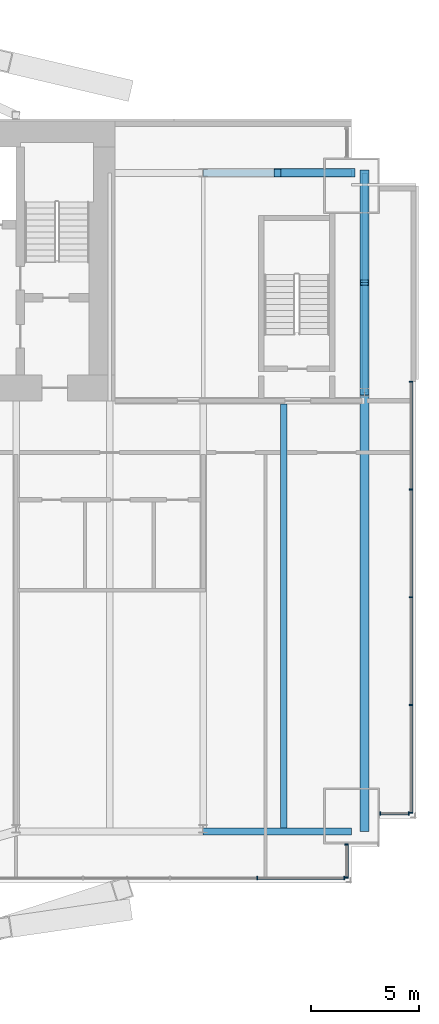
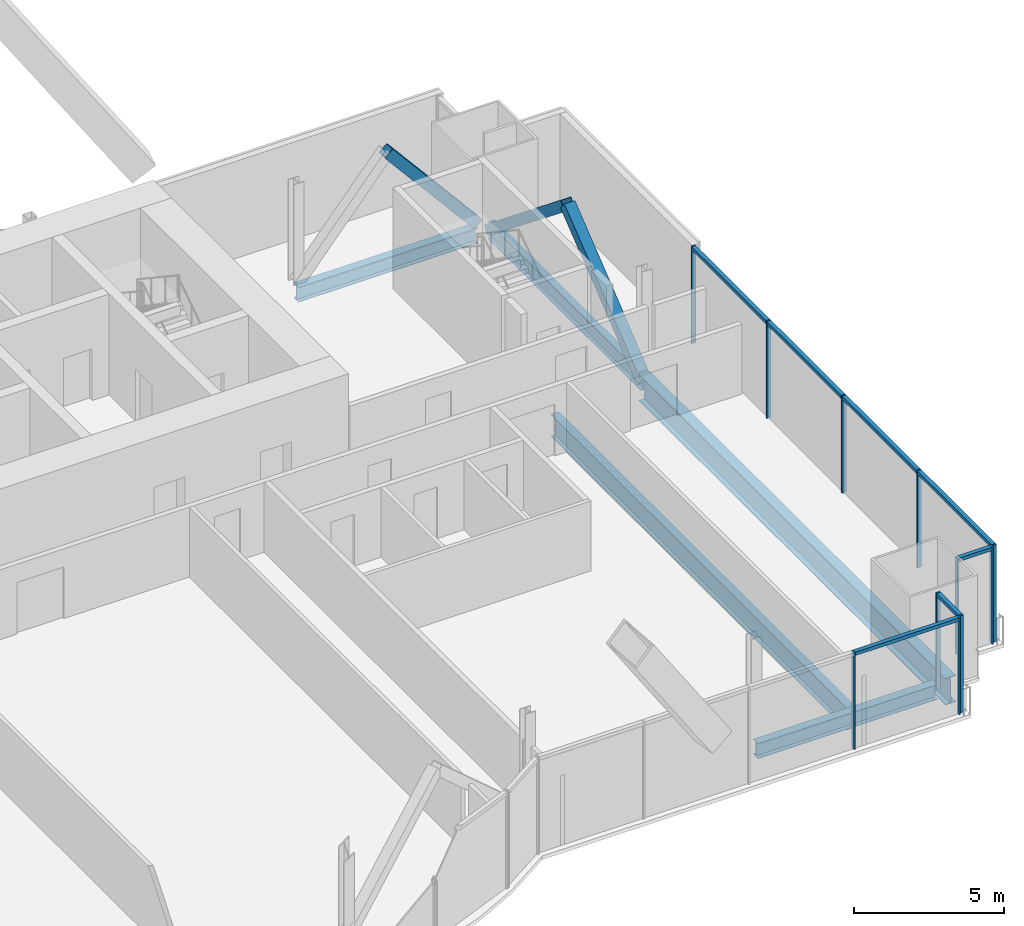
# One storey, part 14 of 23: 21 members, 5 beams, 4 elements without a shape of their own.
"""IFC4 building model written with IfcOpenShell, lengths in metres."""

from ifc_helpers import new_model, si_unit, direction, frame, origin, origin_2d, place, context, subcontext, project, spatial, rectangle, hollow_rectangle, i_section, extrude, material, material_profile, profile_set, type_object, element, aggregate, save


model = new_model("IFC4")

# Units and contexts
model_context = context("Model", 3, precision=1e-05, world=origin(), true_north=direction((0.0, 1.0)))
body_context = subcontext(model_context, "Body", "Model", "MODEL_VIEW")
ifc_project = project(units=[si_unit("LENGTHUNIT", "METRE"), si_unit("AREAUNIT", "SQUARE_METRE"), si_unit("VOLUMEUNIT", "CUBIC_METRE"), si_unit("PLANEANGLEUNIT", "RADIAN"), si_unit("MASSUNIT", "GRAM", prefix="KILO")], contexts=[model_context])

# Site, building, storey
site_placement = place(None, origin())
site = spatial("IfcSite", under=ifc_project, at=site_placement, CompositionType="ELEMENT")
building_placement = place(site_placement, origin())
building = spatial("IfcBuilding", under=site, at=building_placement, Name="Bicima Exchange Tower", CompositionType="ELEMENT")
storey_placement = place(building_placement, frame((0.0, 0.0, 152.699951171875)))
storey = spatial("IfcBuildingStorey", under=building, at=storey_placement, Name="L33", CompositionType="ELEMENT", Elevation=152.699951171875)

# Curtain wall, members
ifc_material_1 = material(Name="Anodised bronze aluminium", Category="aluminium")
curtain_wall_type_1 = type_object("IfcCurtainWallType", Name="End face glass wall", PredefinedType="NOTDEFINED", material=ifc_material_1)
curtain_wall_1_placement = place(storey_placement, origin())
curtain_wall_1 = element("IfcCurtainWall", 1, at=curtain_wall_1_placement, inside=storey, type_object=curtain_wall_type_1, Name="End face glass wall L33 run 19", PredefinedType="NOTDEFINED")
ifc_material_profile_1 = material_profile(ifc_material_1, rectangle(XDim=0.159912109375, YDim=0.06005859375, at=origin_2d()))
ifc_profile_set_1 = profile_set([ifc_material_profile_1], Name="Anodised bronze aluminium")
member_type_1 = type_object("IfcMemberType", Name="End face glass wall mullion 60 x 160", PredefinedType="MULLION", material=ifc_profile_set_1)
member_1_placement = place(storey_placement, frame((35.77001953125, -32.152099609375, 0.0), z_axis=(0.0, 0.0, 1.0), x_axis=(-1.0, 0.0, 0.0)))
member_1 = element("IfcMember", 2, at=member_1_placement, type_object=member_type_1, Name="End face glass wall mullion 1", PredefinedType="MULLION", context=body_context, shape_type="SweptSolid", body=[
    extrude(rectangle(XDim=0.159912109375, YDim=0.06005859375, at=origin_2d()), origin(), (0.0, 0.0, 1.0), 3.949951171875),
])
member_2_placement = place(storey_placement, frame((35.77001953125, -27.1416015625, 0.0), z_axis=(0.0, 0.0, 1.0), x_axis=(-1.0, 0.0, 0.0)))
member_2 = element("IfcMember", 3, at=member_2_placement, type_object=member_type_1, Name="End face glass wall mullion 2", PredefinedType="MULLION", context=body_context, shape_type="SweptSolid", body=[
    extrude(rectangle(XDim=0.159912109375, YDim=0.06005859375, at=origin_2d()), origin(), (0.0, 0.0, 1.0), 3.949951171875),
])
member_3_placement = place(storey_placement, frame((35.77001953125, -22.131103515625, 0.0), z_axis=(0.0, 0.0, 1.0), x_axis=(-1.0, 0.0, 0.0)))
member_3 = element("IfcMember", 4, at=member_3_placement, type_object=member_type_1, Name="End face glass wall mullion 3", PredefinedType="MULLION", context=body_context, shape_type="SweptSolid", body=[
    extrude(rectangle(XDim=0.159912109375, YDim=0.06005859375, at=origin_2d()), origin(), (0.0, 0.0, 1.0), 3.949951171875),
])
member_4_placement = place(storey_placement, frame((35.77001953125, -17.12060546875, 0.0), z_axis=(0.0, 0.0, 1.0), x_axis=(-1.0, 0.0, 0.0)))
member_4 = element("IfcMember", 5, at=member_4_placement, type_object=member_type_1, Name="End face glass wall mullion 4", PredefinedType="MULLION", context=body_context, shape_type="SweptSolid", body=[
    extrude(rectangle(XDim=0.159912109375, YDim=0.06005859375, at=origin_2d()), origin(), (0.0, 0.0, 1.0), 3.949951171875),
])
member_5_placement = place(storey_placement, frame((35.77001953125, -12.110107421875, 0.0), z_axis=(0.0, 0.0, 1.0), x_axis=(-1.0, 0.0, 0.0)))
member_5 = element("IfcMember", 6, at=member_5_placement, type_object=member_type_1, Name="End face glass wall mullion 5", PredefinedType="MULLION", context=body_context, shape_type="SweptSolid", body=[
    extrude(rectangle(XDim=0.159912109375, YDim=0.06005859375, at=origin_2d()), origin(), (0.0, 0.0, 1.0), 3.949951171875),
])
ifc_material_profile_2 = material_profile(ifc_material_1, rectangle(XDim=0.159912109375, YDim=0.139892578125, at=origin_2d()))
ifc_profile_set_2 = profile_set([ifc_material_profile_2], Name="Anodised bronze aluminium")
member_type_2 = type_object("IfcMemberType", Name="End face glass wall transom 140 x 160", PredefinedType="USERDEFINED", material=ifc_profile_set_2)
member_6_placement = place(storey_placement, frame((35.77001953125, -32.1220703125, 3.880126953125), z_axis=(0.0, 1.0, 0.0), x_axis=(-1.0, 0.0, 0.0)))
member_6 = element("IfcMember", 7, at=member_6_placement, type_object=member_type_2, Name="End face glass wall transom 1.1", ObjectType="TRANSOM", PredefinedType="USERDEFINED", context=body_context, shape_type="SweptSolid", body=[
    extrude(rectangle(XDim=0.159912109375, YDim=0.139892578125, at=origin_2d()), origin(), (0.0, 0.0, 1.0), 4.95068359375),
])
member_7_placement = place(storey_placement, frame((35.77001953125, -27.111572265625, 3.880126953125), z_axis=(0.0, 1.0, 0.0), x_axis=(-1.0, 0.0, 0.0)))
member_7 = element("IfcMember", 8, at=member_7_placement, type_object=member_type_2, Name="End face glass wall transom 2.1", ObjectType="TRANSOM", PredefinedType="USERDEFINED", context=body_context, shape_type="SweptSolid", body=[
    extrude(rectangle(XDim=0.159912109375, YDim=0.139892578125, at=origin_2d()), origin(), (0.0, 0.0, 1.0), 4.95068359375),
])
member_8_placement = place(storey_placement, frame((35.77001953125, -22.10107421875, 3.880126953125), z_axis=(0.0, 1.0, 0.0), x_axis=(-1.0, 0.0, 0.0)))
member_8 = element("IfcMember", 9, at=member_8_placement, type_object=member_type_2, Name="End face glass wall transom 3.1", ObjectType="TRANSOM", PredefinedType="USERDEFINED", context=body_context, shape_type="SweptSolid", body=[
    extrude(rectangle(XDim=0.159912109375, YDim=0.139892578125, at=origin_2d()), origin(), (0.0, 0.0, 1.0), 4.95068359375),
])
member_9_placement = place(storey_placement, frame((35.77001953125, -17.090576171875, 3.880126953125), z_axis=(0.0, 1.0, 0.0), x_axis=(-1.0, 0.0, 0.0)))
member_9 = element("IfcMember", 10, at=member_9_placement, type_object=member_type_2, Name="End face glass wall transom 4.1", ObjectType="TRANSOM", PredefinedType="USERDEFINED", context=body_context, shape_type="SweptSolid", body=[
    extrude(rectangle(XDim=0.159912109375, YDim=0.139892578125, at=origin_2d()), origin(), (0.0, 0.0, 1.0), 4.95068359375),
])
aggregate(curtain_wall_1, [member_1, member_2, member_3, member_4, member_5, member_6, member_7, member_8, member_9])

# Beams
ifc_material_2 = material(Name="Steel ASTM A992 Gr 50", Category="steel")
ifc_material_profile_3 = material_profile(ifc_material_2, i_section(OverallWidth=0.256591796875, OverallDepth=0.693359375, WebThickness=0.014404296875, FlangeThickness=0.023681640625, at=origin_2d()))
ifc_profile_set_3 = profile_set([ifc_material_profile_3], Name="Steel ASTM A992 Gr 50")
beam_type_1 = type_object("IfcBeamType", Name="End girder W27x114", PredefinedType="BEAM", material=ifc_profile_set_3)
beam_1_placement = place(storey_placement, frame((33.60009765625, -2.39990234375, -0.49658203125), z_axis=(0.0, -1.0, 0.0), x_axis=(1.0, 0.0, 0.0)))
element("IfcBeam", 11, at=beam_1_placement, inside=storey, type_object=beam_type_1, Name="End girder", PredefinedType="BEAM", context=body_context, shape_type="SweptSolid", body=[
    extrude(i_section(OverallWidth=0.256591796875, OverallDepth=0.693359375, WebThickness=0.014404296875, FlangeThickness=0.023681640625, at=origin_2d()), origin(), (0.0, 0.0, 1.0), 10.2001953125),
])
ifc_material_profile_4 = material_profile(ifc_material_2, i_section(OverallWidth=0.4013671875, OverallDepth=1.089599609375, WebThickness=0.01806640625, FlangeThickness=0.031005859375, at=origin_2d()))
ifc_profile_set_4 = profile_set([ifc_material_profile_4], Name="Steel ASTM A992 Gr 50")
beam_type_2 = type_object("IfcBeamType", Name="End girder W44x230", PredefinedType="BEAM", material=ifc_profile_set_4)
beam_2_placement = place(storey_placement, frame((33.60009765625, -12.60009765625, -0.69482421875), z_axis=(0.0, -1.0, 0.0), x_axis=(1.0, 0.0, 0.0)))
element("IfcBeam", 12, at=beam_2_placement, inside=storey, type_object=beam_type_2, Name="End girder", PredefinedType="BEAM", context=body_context, shape_type="SweptSolid", body=[
    extrude(i_section(OverallWidth=0.4013671875, OverallDepth=1.089599609375, WebThickness=0.01806640625, FlangeThickness=0.031005859375, at=origin_2d()), origin(), (0.0, 0.0, 1.0), 20.411865234375),
])
ifc_material_profile_5 = material_profile(ifc_material_2, i_section(OverallWidth=0.3046875, OverallDepth=0.904296875, WebThickness=0.01513671875, FlangeThickness=0.02001953125, at=origin_2d()))
ifc_profile_set_5 = profile_set([ifc_material_profile_5], Name="Steel ASTM A992 Gr 50")
beam_type_3 = type_object("IfcBeamType", Name="Floor beam W36x135", PredefinedType="JOIST", material=ifc_profile_set_5)
beam_3_placement = place(storey_placement, frame((29.85009765625, -13.15234375, -0.60205078125), z_axis=(0.0, -1.0, 0.0), x_axis=(1.0, 0.0, 0.0)))
element("IfcBeam", 13, at=beam_3_placement, inside=storey, type_object=beam_type_3, Name="Floor beam", PredefinedType="JOIST", context=body_context, shape_type="SweptSolid", body=[
    extrude(i_section(OverallWidth=0.3046875, OverallDepth=0.904296875, WebThickness=0.01513671875, FlangeThickness=0.02001953125, at=origin_2d()), origin(), (0.0, 0.0, 1.0), 19.697021484375),
])
ifc_material_profile_6 = material_profile(ifc_material_2, i_section(OverallWidth=0.3251953125, OverallDepth=0.612060546875, WebThickness=0.0126953125, FlangeThickness=0.01904296875, at=origin_2d()))
ifc_profile_set_6 = profile_set([ifc_material_profile_6], Name="Steel ASTM A992 Gr 50")
beam_type_4 = type_object("IfcBeamType", Name="Front girder W24x104", PredefinedType="BEAM", material=ifc_profile_set_6)
beam_4_placement = place(storey_placement, frame((26.10009765625, -33.011962890625, -0.4560546875), z_axis=(1.0, 0.0, 0.0), x_axis=(0.0, 1.0, 0.0)))
element("IfcBeam", 14, at=beam_4_placement, inside=storey, type_object=beam_type_4, Name="Front girder", PredefinedType="BEAM", context=body_context, shape_type="SweptSolid", body=[
    extrude(i_section(OverallWidth=0.3251953125, OverallDepth=0.612060546875, WebThickness=0.0126953125, FlangeThickness=0.01904296875, at=origin_2d()), origin(), (0.0, 0.0, 1.0), 6.89990234375),
])

# Curtain wall, members
curtain_wall_type_2 = type_object("IfcCurtainWallType", Name="Front glass wall", PredefinedType="NOTDEFINED", material=ifc_material_1)
curtain_wall_2_placement = place(storey_placement, origin())
curtain_wall_2 = element("IfcCurtainWall", 15, at=curtain_wall_2_placement, inside=storey, type_object=curtain_wall_type_2, Name="Front glass wall L33 run 16", PredefinedType="NOTDEFINED")
member_type_3 = type_object("IfcMemberType", Name="Front glass wall mullion 60 x 160", PredefinedType="MULLION", material=ifc_profile_set_1)
member_10_placement = place(storey_placement, frame((28.610595703125, -35.181884765625, 0.0), z_axis=(0.0, 0.0, 1.0), x_axis=(0.0, 1.0, 0.0)))
member_10 = element("IfcMember", 16, at=member_10_placement, type_object=member_type_3, Name="Front glass wall mullion 4", PredefinedType="MULLION", context=body_context, shape_type="SweptSolid", body=[
    extrude(rectangle(XDim=0.159912109375, YDim=0.06005859375, at=origin_2d()), origin(), (0.0, 0.0, 1.0), 3.949951171875),
])
member_11_placement = place(storey_placement, frame((32.659912109375, -35.181884765625, 0.0), z_axis=(0.0, 0.0, 1.0), x_axis=(0.0, 1.0, 0.0)))
member_11 = element("IfcMember", 17, at=member_11_placement, type_object=member_type_3, Name="Front glass wall mullion 5", PredefinedType="MULLION", context=body_context, shape_type="SweptSolid", body=[
    extrude(rectangle(XDim=0.159912109375, YDim=0.06005859375, at=origin_2d()), origin(), (0.0, 0.0, 1.0), 3.949951171875),
])

curtain_wall_3_placement = place(storey_placement, origin())
curtain_wall_3 = element("IfcCurtainWall", 18, at=curtain_wall_3_placement, inside=storey, type_object=curtain_wall_type_2, Name="Front glass wall L33 run 17", PredefinedType="NOTDEFINED")
member_12_placement = place(storey_placement, frame((32.77001953125, -35.152099609375, 0.0), z_axis=(0.0, 0.0, 1.0), x_axis=(-1.0, 0.0, 0.0)))
member_12 = element("IfcMember", 19, at=member_12_placement, type_object=member_type_3, Name="Front glass wall mullion 1", PredefinedType="MULLION", context=body_context, shape_type="SweptSolid", body=[
    extrude(rectangle(XDim=0.159912109375, YDim=0.06005859375, at=origin_2d()), origin(), (0.0, 0.0, 1.0), 3.949951171875),
])
member_13_placement = place(storey_placement, frame((32.77001953125, -33.6201171875, 0.0), z_axis=(0.0, 0.0, 1.0), x_axis=(-1.0, 0.0, 0.0)))
member_13 = element("IfcMember", 20, at=member_13_placement, type_object=member_type_3, Name="Front glass wall mullion 2", PredefinedType="MULLION", context=body_context, shape_type="SweptSolid", body=[
    extrude(rectangle(XDim=0.159912109375, YDim=0.06005859375, at=origin_2d()), origin(), (0.0, 0.0, 1.0), 3.949951171875),
])

curtain_wall_4_placement = place(storey_placement, origin())
curtain_wall_4 = element("IfcCurtainWall", 21, at=curtain_wall_4_placement, inside=storey, type_object=curtain_wall_type_2, Name="Front glass wall L33 run 18", PredefinedType="NOTDEFINED")
member_14_placement = place(storey_placement, frame((34.330078125, -32.181884765625, 0.0), z_axis=(0.0, 0.0, 1.0), x_axis=(0.0, 1.0, 0.0)))
member_14 = element("IfcMember", 22, at=member_14_placement, type_object=member_type_3, Name="Front glass wall mullion 1", PredefinedType="MULLION", context=body_context, shape_type="SweptSolid", body=[
    extrude(rectangle(XDim=0.159912109375, YDim=0.06005859375, at=origin_2d()), origin(), (0.0, 0.0, 1.0), 3.949951171875),
])
member_15_placement = place(storey_placement, frame((35.659912109375, -32.181884765625, 0.0), z_axis=(0.0, 0.0, 1.0), x_axis=(0.0, 1.0, 0.0)))
member_15 = element("IfcMember", 23, at=member_15_placement, type_object=member_type_3, Name="Front glass wall mullion 2", PredefinedType="MULLION", context=body_context, shape_type="SweptSolid", body=[
    extrude(rectangle(XDim=0.159912109375, YDim=0.06005859375, at=origin_2d()), origin(), (0.0, 0.0, 1.0), 3.949951171875),
])

# Member
member_type_4 = type_object("IfcMemberType", Name="Front glass wall transom 140 x 160", PredefinedType="USERDEFINED", material=ifc_profile_set_2)
member_16_placement = place(storey_placement, frame((28.640380859375, -35.181884765625, 3.880126953125), z_axis=(1.0, 0.0, 0.0), x_axis=(0.0, 1.0, 0.0)))
member_16 = element("IfcMember", 24, at=member_16_placement, type_object=member_type_4, Name="Front glass wall transom 4.1", ObjectType="TRANSOM", PredefinedType="USERDEFINED", context=body_context, shape_type="SweptSolid", body=[
    extrude(rectangle(XDim=0.159912109375, YDim=0.139892578125, at=origin_2d()), origin(), (0.0, 0.0, 1.0), 3.989501953125),
])

aggregate(curtain_wall_2, [member_10, member_11, member_16])

member_17_placement = place(storey_placement, frame((32.77001953125, -35.1220703125, 3.880126953125), z_axis=(0.0, 1.0, 0.0), x_axis=(-1.0, 0.0, 0.0)))
member_17 = element("IfcMember", 25, at=member_17_placement, type_object=member_type_4, Name="Front glass wall transom 1.1", ObjectType="TRANSOM", PredefinedType="USERDEFINED", context=body_context, shape_type="SweptSolid", body=[
    extrude(rectangle(XDim=0.159912109375, YDim=0.139892578125, at=origin_2d()), origin(), (0.0, 0.0, 1.0), 1.47216796875),
])

aggregate(curtain_wall_3, [member_12, member_13, member_17])

member_18_placement = place(storey_placement, frame((34.360107421875, -32.181884765625, 3.880126953125), z_axis=(1.0, 0.0, 0.0), x_axis=(0.0, 1.0, 0.0)))
member_18 = element("IfcMember", 26, at=member_18_placement, type_object=member_type_4, Name="Front glass wall transom 1.1", ObjectType="TRANSOM", PredefinedType="USERDEFINED", context=body_context, shape_type="SweptSolid", body=[
    extrude(rectangle(XDim=0.159912109375, YDim=0.139892578125, at=origin_2d()), origin(), (0.0, 0.0, 1.0), 1.269775390625),
])

aggregate(curtain_wall_4, [member_14, member_15, member_18])

# Members
ifc_material_3 = material(Name="Steel ASTM A572 Gr 50", Category="steel")
ifc_material_profile_7 = material_profile(ifc_material_3, hollow_rectangle(XDim=0.406494140625, YDim=0.406494140625, WallThickness=0.017822265625, at=origin_2d()))
ifc_profile_set_7 = profile_set([ifc_material_profile_7], Name="Steel ASTM A572 Gr 50")
member_type_5 = type_object("IfcMemberType", Name="Mega brace HSS16x16x3/4", PredefinedType="BRACE", material=ifc_profile_set_7)
member_19_placement = place(storey_placement, frame((33.0, -2.39990234375, 0.0), z_axis=(-0.643834042494, 0.0, 0.765165162384), x_axis=(0.0, -1.0, 0.0)))
element("IfcMember", 27, at=member_19_placement, inside=storey, type_object=member_type_5, Name="Mega brace rear", PredefinedType="BRACE", context=body_context, shape_type="SweptSolid", body=[
    extrude(hollow_rectangle(XDim=0.406494140625, YDim=0.406494140625, WallThickness=0.017822265625, at=origin_2d()), origin(), (0.0, 0.0, 1.0), 5.3583984375),
])
for number, where, z_axis, x_axis, name in (
    (28, (33.60009765625, -2.39990234375, -0.49658203125), (0.0, -0.779392460608, 0.626536026376), (1.0, 0.0, 0.0), "Mega brace east end"),
    (29, (33.60009765625, -12.60009765625, -0.49658203125), (0.0, 0.779392460608, 0.626536026376), (-1.0, 0.0, 0.0), "Mega brace east end"),
):
    element("IfcMember", number, at=place(storey_placement, frame(where, z_axis=z_axis, x_axis=x_axis)), inside=storey, type_object=member_type_5, Name=name, PredefinedType="BRACE", context=body_context, shape_type="SweptSolid", body=[
        extrude(hollow_rectangle(XDim=0.406494140625, YDim=0.406494140625, WallThickness=0.017822265625, at=origin_2d()), origin(), (0.0, 0.0, 1.0), 6.543701171875),
    ])

# Beam
beam_type_5 = type_object("IfcBeamType", Name="Rear girder W24x104", PredefinedType="BEAM", material=ifc_profile_set_6)
beam_5_placement = place(storey_placement, frame((26.10009765625, -2.39990234375, -0.4560546875), z_axis=(1.0, 0.0, 0.0), x_axis=(0.0, 1.0, 0.0)))
element("IfcBeam", 30, at=beam_5_placement, inside=storey, type_object=beam_type_5, Name="Rear girder", PredefinedType="BEAM", context=body_context, shape_type="SweptSolid", body=[
    extrude(i_section(OverallWidth=0.3251953125, OverallDepth=0.612060546875, WebThickness=0.0126953125, FlangeThickness=0.01904296875, at=origin_2d()), origin(), (0.0, 0.0, 1.0), 6.89990234375),
])

save(model, "model.ifc")
